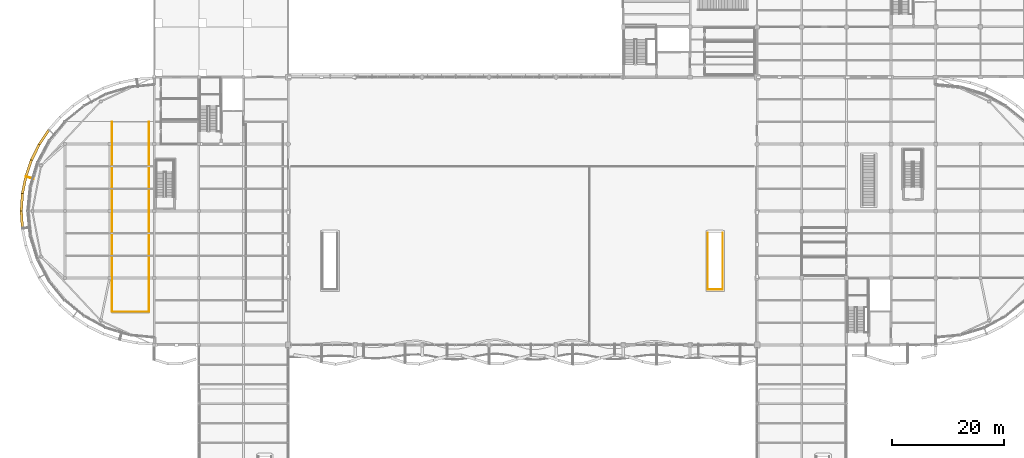
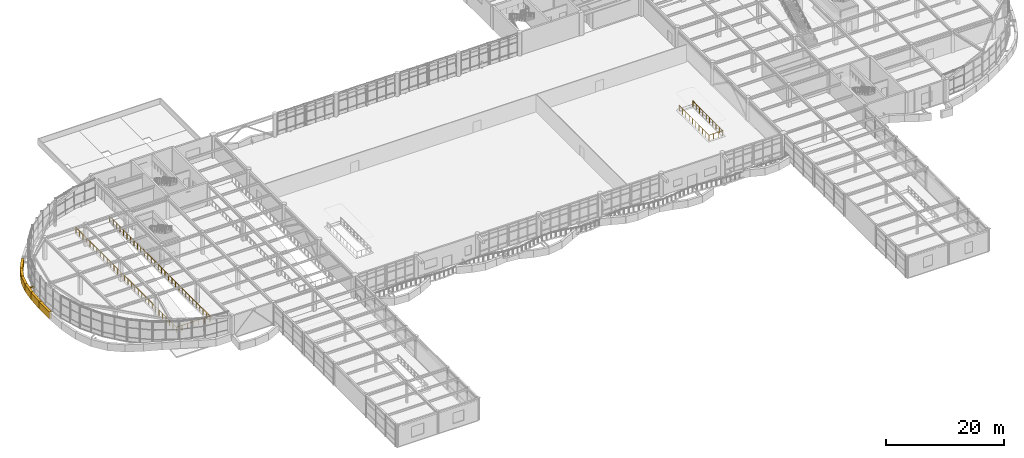
# One storey, part 62 of 72: 7 coverings, 2 railings.
"""IFC4 building model written with IfcOpenShell, lengths in metres."""

from ifc_helpers import new_model, si_unit, direction, frame, frame_2d, origin, origin_2d, place, context, subcontext, project, spatial, polyline, rectangle, circle, outline, extrude, material, layer, layer_set, type_object, element, save


model = new_model("IFC4")

# Units and contexts
model_context = context("Model", 3, precision=1e-05, world=origin(), true_north=direction((0.0, 1.0)))
body_context = subcontext(model_context, "Body", "Model", "MODEL_VIEW")
ifc_project = project(units=[si_unit("LENGTHUNIT", "METRE"), si_unit("AREAUNIT", "SQUARE_METRE"), si_unit("VOLUMEUNIT", "CUBIC_METRE"), si_unit("PLANEANGLEUNIT", "RADIAN"), si_unit("MASSUNIT", "GRAM", prefix="KILO")], contexts=[model_context])

# Site, building, storey
site_placement = place(None, origin())
site = spatial("IfcSite", under=ifc_project, at=site_placement, CompositionType="ELEMENT")
building_placement = place(site_placement, origin())
building = spatial("IfcBuilding", under=site, at=building_placement, Name="Keelwater Ferry Terminal", CompositionType="ELEMENT")
storey_placement = place(building_placement, frame((0.0, 0.0, 5.39990234375)))
storey = spatial("IfcBuildingStorey", under=building, at=storey_placement, Name="L01", CompositionType="ELEMENT", Elevation=5.39990234375)

# Railings
ifc_material_1 = material(Name="Painted Steel S355", Category="steel")
railing_type = type_object("IfcRailingType", Name="GR-115 Stair Well Guardrail", PredefinedType="GUARDRAIL", material=ifc_material_1)
railing_1_placement = place(storey_placement, frame((125.840087890625, 62.080078125, 0.0)))
element("IfcRailing", 1, at=railing_1_placement, inside=storey, type_object=railing_type, Name="Straight Stair GS-02 Top Well U-Guard 120", PredefinedType="GUARDRAIL", context=body_context, shape_type="SweptSolid", body=[
    extrude(circle(Radius=0.02392578125, at=origin_2d()), frame((0.0, 0.0, 1.1259765625), z_axis=(0.0, -1.0, 0.0), x_axis=(1.0, 0.0, 0.0)), (0.0, 0.0, 1.0), 10.1201171875),
    extrude(circle(Radius=0.02392578125, at=origin_2d()), frame((0.0, -10.1201171875, 1.1259765625), z_axis=(-1.0, 0.0, 0.0), x_axis=(0.0, -1.0, 0.0)), (0.0, 0.0, 1.0), 2.68017578125),
    extrude(circle(Radius=0.02392578125, at=origin_2d()), frame((-2.68017578125, -10.1201171875, 1.1259765625), z_axis=(0.0, 1.0, 0.0), x_axis=(-1.0, 0.0, 0.0)), (0.0, 0.0, 1.0), 10.1201171875),
    extrude(circle(Radius=0.02099609375, at=origin_2d()), origin(), (0.0, 0.0, 1.0), 1.101806640625),
    extrude(circle(Radius=0.02099609375, at=origin_2d()), frame((0.0, -1.12451171875, 0.0)), (0.0, 0.0, 1.0), 1.101806640625),
    extrude(circle(Radius=0.02099609375, at=origin_2d()), frame((0.0, -2.2490234375, 0.0)), (0.0, 0.0, 1.0), 1.101806640625),
    extrude(circle(Radius=0.02099609375, at=origin_2d()), frame((0.0, -3.373291015625, 0.0)), (0.0, 0.0, 1.0), 1.101806640625),
    extrude(circle(Radius=0.02099609375, at=origin_2d()), frame((0.0, -4.497802734375, 0.0)), (0.0, 0.0, 1.0), 1.101806640625),
    extrude(circle(Radius=0.02099609375, at=origin_2d()), frame((0.0, -5.622314453125, 0.0)), (0.0, 0.0, 1.0), 1.101806640625),
    extrude(circle(Radius=0.02099609375, at=origin_2d()), frame((0.0, -6.746826171875, 0.0)), (0.0, 0.0, 1.0), 1.101806640625),
    extrude(circle(Radius=0.02099609375, at=origin_2d()), frame((0.0, -7.87109375, 0.0)), (0.0, 0.0, 1.0), 1.101806640625),
    extrude(circle(Radius=0.02099609375, at=origin_2d()), frame((0.0, -8.99560546875, 0.0)), (0.0, 0.0, 1.0), 1.101806640625),
    extrude(circle(Radius=0.02099609375, at=origin_2d()), frame((0.0, -10.1201171875, 0.0)), (0.0, 0.0, 1.0), 1.101806640625),
    extrude(circle(Radius=0.02099609375, at=origin_2d()), frame((-0.893310546875, -10.1201171875, 0.0)), (0.0, 0.0, 1.0), 1.101806640625),
    extrude(circle(Radius=0.02099609375, at=origin_2d()), frame((-1.786865234375, -10.1201171875, 0.0)), (0.0, 0.0, 1.0), 1.101806640625),
    extrude(circle(Radius=0.02099609375, at=origin_2d()), frame((-2.68017578125, -10.1201171875, 0.0)), (0.0, 0.0, 1.0), 1.101806640625),
    extrude(circle(Radius=0.02099609375, at=origin_2d()), frame((-2.68017578125, -8.99560546875, 0.0)), (0.0, 0.0, 1.0), 1.101806640625),
    extrude(circle(Radius=0.02099609375, at=origin_2d()), frame((-2.68017578125, -7.87109375, 0.0)), (0.0, 0.0, 1.0), 1.101806640625),
    extrude(circle(Radius=0.02099609375, at=origin_2d()), frame((-2.68017578125, -6.746826171875, 0.0)), (0.0, 0.0, 1.0), 1.101806640625),
    extrude(circle(Radius=0.02099609375, at=origin_2d()), frame((-2.68017578125, -5.622314453125, 0.0)), (0.0, 0.0, 1.0), 1.101806640625),
    extrude(circle(Radius=0.02099609375, at=origin_2d()), frame((-2.68017578125, -4.497802734375, 0.0)), (0.0, 0.0, 1.0), 1.101806640625),
    extrude(circle(Radius=0.02099609375, at=origin_2d()), frame((-2.68017578125, -3.373291015625, 0.0)), (0.0, 0.0, 1.0), 1.101806640625),
    extrude(circle(Radius=0.02099609375, at=origin_2d()), frame((-2.68017578125, -2.2490234375, 0.0)), (0.0, 0.0, 1.0), 1.101806640625),
    extrude(circle(Radius=0.02099609375, at=origin_2d()), frame((-2.68017578125, -1.12451171875, 0.0)), (0.0, 0.0, 1.0), 1.101806640625),
    extrude(circle(Radius=0.02099609375, at=origin_2d()), frame((-2.68017578125, 0.0, 0.0)), (0.0, 0.0, 1.0), 1.101806640625),
])
railing_2_placement = place(storey_placement, frame((16.449951171875, 82.0, 0.0)))
element("IfcRailing", 2, at=railing_2_placement, inside=storey, type_object=railing_type, Name="VR1 L01 Deck Slot Guard 135", PredefinedType="GUARDRAIL", context=body_context, shape_type="SweptSolid", body=[
    extrude(circle(Radius=0.02392578125, at=origin_2d()), frame((0.0, 0.0, 1.1259765625), z_axis=(0.0, -1.0, 0.0), x_axis=(1.0, 0.0, 0.0)), (0.0, 0.0, 1.0), 34.050048828125),
    extrude(circle(Radius=0.02392578125, at=origin_2d()), frame((0.0, -34.050048828125, 1.1259765625), z_axis=(1.0, 0.0, 0.0), x_axis=(0.0, 1.0, 0.0)), (0.0, 0.0, 1.0), 6.60009765625),
    extrude(circle(Radius=0.02392578125, at=origin_2d()), frame((6.60009765625, -34.050048828125, 1.1259765625), z_axis=(0.0, 1.0, 0.0), x_axis=(-1.0, 0.0, 0.0)), (0.0, 0.0, 1.0), 34.050048828125),
    extrude(circle(Radius=0.02099609375, at=origin_2d()), origin(), (0.0, 0.0, 1.0), 1.101806640625),
    extrude(circle(Radius=0.02099609375, at=origin_2d()), frame((0.0, -1.174072265625, 0.0)), (0.0, 0.0, 1.0), 1.101806640625),
    extrude(circle(Radius=0.02099609375, at=origin_2d()), frame((0.0, -2.348388671875, 0.0)), (0.0, 0.0, 1.0), 1.101806640625),
    extrude(circle(Radius=0.02099609375, at=origin_2d()), frame((0.0, -3.5224609375, 0.0)), (0.0, 0.0, 1.0), 1.101806640625),
    extrude(circle(Radius=0.02099609375, at=origin_2d()), frame((0.0, -4.696533203125, 0.0)), (0.0, 0.0, 1.0), 1.101806640625),
    extrude(circle(Radius=0.02099609375, at=origin_2d()), frame((0.0, -5.87060546875, 0.0)), (0.0, 0.0, 1.0), 1.101806640625),
    extrude(circle(Radius=0.02099609375, at=origin_2d()), frame((0.0, -7.044921875, 0.0)), (0.0, 0.0, 1.0), 1.101806640625),
    extrude(circle(Radius=0.02099609375, at=origin_2d()), frame((0.0, -8.218994140625, 0.0)), (0.0, 0.0, 1.0), 1.101806640625),
    extrude(circle(Radius=0.02099609375, at=origin_2d()), frame((0.0, -9.39306640625, 0.0)), (0.0, 0.0, 1.0), 1.101806640625),
    extrude(circle(Radius=0.02099609375, at=origin_2d()), frame((0.0, -10.567138671875, 0.0)), (0.0, 0.0, 1.0), 1.101806640625),
    extrude(circle(Radius=0.02099609375, at=origin_2d()), frame((0.0, -11.741455078125, 0.0)), (0.0, 0.0, 1.0), 1.101806640625),
    extrude(circle(Radius=0.02099609375, at=origin_2d()), frame((0.0, -12.91552734375, 0.0)), (0.0, 0.0, 1.0), 1.101806640625),
    extrude(circle(Radius=0.02099609375, at=origin_2d()), frame((0.0, -14.089599609375, 0.0)), (0.0, 0.0, 1.0), 1.101806640625),
    extrude(circle(Radius=0.02099609375, at=origin_2d()), frame((0.0, -15.263916015625, 0.0)), (0.0, 0.0, 1.0), 1.101806640625),
    extrude(circle(Radius=0.02099609375, at=origin_2d()), frame((0.0, -16.43798828125, 0.0)), (0.0, 0.0, 1.0), 1.101806640625),
    extrude(circle(Radius=0.02099609375, at=origin_2d()), frame((0.0, -17.612060546875, 0.0)), (0.0, 0.0, 1.0), 1.101806640625),
    extrude(circle(Radius=0.02099609375, at=origin_2d()), frame((0.0, -18.7861328125, 0.0)), (0.0, 0.0, 1.0), 1.101806640625),
    extrude(circle(Radius=0.02099609375, at=origin_2d()), frame((0.0, -19.96044921875, 0.0)), (0.0, 0.0, 1.0), 1.101806640625),
    extrude(circle(Radius=0.02099609375, at=origin_2d()), frame((0.0, -21.134521484375, 0.0)), (0.0, 0.0, 1.0), 1.101806640625),
    extrude(circle(Radius=0.02099609375, at=origin_2d()), frame((0.0, -22.30859375, 0.0)), (0.0, 0.0, 1.0), 1.101806640625),
    extrude(circle(Radius=0.02099609375, at=origin_2d()), frame((0.0, -23.48291015625, 0.0)), (0.0, 0.0, 1.0), 1.101806640625),
    extrude(circle(Radius=0.02099609375, at=origin_2d()), frame((0.0, -24.656982421875, 0.0)), (0.0, 0.0, 1.0), 1.101806640625),
    extrude(circle(Radius=0.02099609375, at=origin_2d()), frame((0.0, -25.8310546875, 0.0)), (0.0, 0.0, 1.0), 1.101806640625),
    extrude(circle(Radius=0.02099609375, at=origin_2d()), frame((0.0, -27.005126953125, 0.0)), (0.0, 0.0, 1.0), 1.101806640625),
    extrude(circle(Radius=0.02099609375, at=origin_2d()), frame((0.0, -28.179443359375, 0.0)), (0.0, 0.0, 1.0), 1.101806640625),
    extrude(circle(Radius=0.02099609375, at=origin_2d()), frame((0.0, -29.353515625, 0.0)), (0.0, 0.0, 1.0), 1.101806640625),
    extrude(circle(Radius=0.02099609375, at=origin_2d()), frame((0.0, -30.527587890625, 0.0)), (0.0, 0.0, 1.0), 1.101806640625),
    extrude(circle(Radius=0.02099609375, at=origin_2d()), frame((0.0, -31.70166015625, 0.0)), (0.0, 0.0, 1.0), 1.101806640625),
    extrude(circle(Radius=0.02099609375, at=origin_2d()), frame((0.0, -32.8759765625, 0.0)), (0.0, 0.0, 1.0), 1.101806640625),
    extrude(circle(Radius=0.02099609375, at=origin_2d()), frame((0.0, -34.050048828125, 0.0)), (0.0, 0.0, 1.0), 1.101806640625),
    extrude(circle(Radius=0.02099609375, at=origin_2d()), frame((1.10009765625, -34.050048828125, 0.0)), (0.0, 0.0, 1.0), 1.101806640625),
    extrude(circle(Radius=0.02099609375, at=origin_2d()), frame((2.199951171875, -34.050048828125, 0.0)), (0.0, 0.0, 1.0), 1.101806640625),
    extrude(circle(Radius=0.02099609375, at=origin_2d()), frame((3.300048828125, -34.050048828125, 0.0)), (0.0, 0.0, 1.0), 1.101806640625),
    extrude(circle(Radius=0.02099609375, at=origin_2d()), frame((4.400146484375, -34.050048828125, 0.0)), (0.0, 0.0, 1.0), 1.101806640625),
    extrude(circle(Radius=0.02099609375, at=origin_2d()), frame((5.5, -34.050048828125, 0.0)), (0.0, 0.0, 1.0), 1.101806640625),
    extrude(circle(Radius=0.02099609375, at=origin_2d()), frame((6.60009765625, -34.050048828125, 0.0)), (0.0, 0.0, 1.0), 1.101806640625),
    extrude(circle(Radius=0.02099609375, at=origin_2d()), frame((6.60009765625, -32.8759765625, 0.0)), (0.0, 0.0, 1.0), 1.101806640625),
    extrude(circle(Radius=0.02099609375, at=origin_2d()), frame((6.60009765625, -31.70166015625, 0.0)), (0.0, 0.0, 1.0), 1.101806640625),
    extrude(circle(Radius=0.02099609375, at=origin_2d()), frame((6.60009765625, -30.527587890625, 0.0)), (0.0, 0.0, 1.0), 1.101806640625),
    extrude(circle(Radius=0.02099609375, at=origin_2d()), frame((6.60009765625, -29.353515625, 0.0)), (0.0, 0.0, 1.0), 1.101806640625),
    extrude(circle(Radius=0.02099609375, at=origin_2d()), frame((6.60009765625, -28.179443359375, 0.0)), (0.0, 0.0, 1.0), 1.101806640625),
    extrude(circle(Radius=0.02099609375, at=origin_2d()), frame((6.60009765625, -27.005126953125, 0.0)), (0.0, 0.0, 1.0), 1.101806640625),
    extrude(circle(Radius=0.02099609375, at=origin_2d()), frame((6.60009765625, -25.8310546875, 0.0)), (0.0, 0.0, 1.0), 1.101806640625),
    extrude(circle(Radius=0.02099609375, at=origin_2d()), frame((6.60009765625, -24.656982421875, 0.0)), (0.0, 0.0, 1.0), 1.101806640625),
    extrude(circle(Radius=0.02099609375, at=origin_2d()), frame((6.60009765625, -23.48291015625, 0.0)), (0.0, 0.0, 1.0), 1.101806640625),
    extrude(circle(Radius=0.02099609375, at=origin_2d()), frame((6.60009765625, -22.30859375, 0.0)), (0.0, 0.0, 1.0), 1.101806640625),
    extrude(circle(Radius=0.02099609375, at=origin_2d()), frame((6.60009765625, -21.134521484375, 0.0)), (0.0, 0.0, 1.0), 1.101806640625),
    extrude(circle(Radius=0.02099609375, at=origin_2d()), frame((6.60009765625, -19.96044921875, 0.0)), (0.0, 0.0, 1.0), 1.101806640625),
    extrude(circle(Radius=0.02099609375, at=origin_2d()), frame((6.60009765625, -18.7861328125, 0.0)), (0.0, 0.0, 1.0), 1.101806640625),
    extrude(circle(Radius=0.02099609375, at=origin_2d()), frame((6.60009765625, -17.612060546875, 0.0)), (0.0, 0.0, 1.0), 1.101806640625),
    extrude(circle(Radius=0.02099609375, at=origin_2d()), frame((6.60009765625, -16.43798828125, 0.0)), (0.0, 0.0, 1.0), 1.101806640625),
    extrude(circle(Radius=0.02099609375, at=origin_2d()), frame((6.60009765625, -15.263916015625, 0.0)), (0.0, 0.0, 1.0), 1.101806640625),
    extrude(circle(Radius=0.02099609375, at=origin_2d()), frame((6.60009765625, -14.089599609375, 0.0)), (0.0, 0.0, 1.0), 1.101806640625),
    extrude(circle(Radius=0.02099609375, at=origin_2d()), frame((6.60009765625, -12.91552734375, 0.0)), (0.0, 0.0, 1.0), 1.101806640625),
    extrude(circle(Radius=0.02099609375, at=origin_2d()), frame((6.60009765625, -11.741455078125, 0.0)), (0.0, 0.0, 1.0), 1.101806640625),
    extrude(circle(Radius=0.02099609375, at=origin_2d()), frame((6.60009765625, -10.567138671875, 0.0)), (0.0, 0.0, 1.0), 1.101806640625),
    extrude(circle(Radius=0.02099609375, at=origin_2d()), frame((6.60009765625, -9.39306640625, 0.0)), (0.0, 0.0, 1.0), 1.101806640625),
    extrude(circle(Radius=0.02099609375, at=origin_2d()), frame((6.60009765625, -8.218994140625, 0.0)), (0.0, 0.0, 1.0), 1.101806640625),
    extrude(circle(Radius=0.02099609375, at=origin_2d()), frame((6.60009765625, -7.044921875, 0.0)), (0.0, 0.0, 1.0), 1.101806640625),
    extrude(circle(Radius=0.02099609375, at=origin_2d()), frame((6.60009765625, -5.87060546875, 0.0)), (0.0, 0.0, 1.0), 1.101806640625),
    extrude(circle(Radius=0.02099609375, at=origin_2d()), frame((6.60009765625, -4.696533203125, 0.0)), (0.0, 0.0, 1.0), 1.101806640625),
    extrude(circle(Radius=0.02099609375, at=origin_2d()), frame((6.60009765625, -3.5224609375, 0.0)), (0.0, 0.0, 1.0), 1.101806640625),
    extrude(circle(Radius=0.02099609375, at=origin_2d()), frame((6.60009765625, -2.348388671875, 0.0)), (0.0, 0.0, 1.0), 1.101806640625),
    extrude(circle(Radius=0.02099609375, at=origin_2d()), frame((6.60009765625, -1.174072265625, 0.0)), (0.0, 0.0, 1.0), 1.101806640625),
    extrude(circle(Radius=0.02099609375, at=origin_2d()), frame((6.60009765625, 0.0, 0.0)), (0.0, 0.0, 1.0), 1.101806640625),
])

# Coverings
ifc_material_2 = material(Name="Matte white architectural aluminium fascia ribbon", Category="aluminium")
ifc_layer = layer(ifc_material_2, 0.1201171875)
ifc_layer_set = layer_set([ifc_layer], Name="Matte white architectural aluminium fascia ribbon")
covering_type = type_object("IfcCoveringType", Name="RB-WHT Matte White Fascia Ribbon", PredefinedType="CLADDING", material=ifc_layer_set)
covering_1_placement = place(storey_placement, frame((5.115966796875, 80.52197265625, -1.89990234375), z_axis=(0.0, 0.0, 1.0), x_axis=(-0.55550058618, -0.831516144614, 0.0)))
element("IfcCovering", 3, at=covering_1_placement, inside=storey, type_object=covering_type, Name="Concourse Lower Wave Fascia Ribbon 202", PredefinedType="CLADDING", context=body_context, shape_type="SweptSolid", body=[
    extrude(outline(polyline([(0.0, 0.0), (3.16650390625, 0.197021484375), (3.16650390625, 1.697021484375), (0.0, 1.5), (0.0, 0.0)])), frame((0.0, 0.22998046875, 0.0), z_axis=(0.0, -1.0, 0.0), x_axis=(1.0, 0.0, 0.0)), (0.0, 0.0, 1.0), 0.4599609375),
])
covering_2_placement = place(storey_placement, frame((3.382080078125, 77.931884765625, -1.702880859375), z_axis=(0.0, 0.0, 1.0), x_axis=(-0.442454846905, -0.896790782987, 0.0)))
element("IfcCovering", 4, at=covering_2_placement, inside=storey, type_object=covering_type, Name="Concourse Lower Wave Fascia Ribbon 214", PredefinedType="CLADDING", context=body_context, shape_type="SweptSolid", body=[
    extrude(outline(polyline([(0.0, 0.0), (3.16455078125, 0.487060546875), (3.16455078125, 1.987060546875), (0.0, 1.5), (0.0, 0.0)])), frame((0.0, 0.22998046875, 0.0), z_axis=(0.0, -1.0, 0.0), x_axis=(1.0, 0.0, 0.0)), (0.0, 0.0, 1.0), 0.4599609375),
])
covering_3_placement = place(storey_placement, frame((2.0009765625, 75.139892578125, -1.2158203125), z_axis=(0.0, 0.0, 1.0), x_axis=(-0.321196336342, -0.94701262585, 0.0)))
element("IfcCovering", 5, at=covering_3_placement, inside=storey, type_object=covering_type, Name="Concourse Lower Wave Fascia Ribbon 218", PredefinedType="CLADDING", context=body_context, shape_type="SweptSolid", body=[
    extrude(outline(polyline([(0.0, 0.0), (3.16650390625, 0.56103515625), (3.16650390625, 2.06103515625), (0.0, 1.5), (0.0, 0.0)])), frame((0.0, 0.22998046875, 0.0), z_axis=(0.0, -1.0, 0.0), x_axis=(1.0, 0.0, 0.0)), (0.0, 0.0, 1.0), 0.4599609375),
])
covering_4_placement = place(storey_placement, frame((0.9970703125, 72.18994140625, -0.65478515625), z_axis=(0.0, 0.0, 1.0), x_axis=(-0.195196875454, -0.98076407959, 0.0)))
element("IfcCovering", 6, at=covering_4_placement, inside=storey, type_object=covering_type, Name="Concourse Lower Wave Fascia Ribbon 222", PredefinedType="CLADDING", context=body_context, shape_type="SweptSolid", body=[
    extrude(outline(polyline([(0.0, 0.0), (3.1669921875, 0.384765625), (3.1669921875, 1.884765625), (0.0, 1.5), (0.0, 0.0)])), frame((0.0, 0.22998046875, 0.0), z_axis=(0.0, -1.0, 0.0), x_axis=(1.0, 0.0, 0.0)), (0.0, 0.0, 1.0), 0.4599609375),
])
covering_5_placement = place(storey_placement, frame((0.991943359375, 72.1650390625, -0.25), z_axis=(0.0, 0.0, 1.0), x_axis=(0.965999865875, -0.258542567344, 0.0)))
element("IfcCovering", 7, at=covering_5_placement, inside=storey, type_object=covering_type, Name="Ribbon Slab Tie Bracket 227", PredefinedType="CLADDING", context=body_context, shape_type="SweptSolid", body=[
    extrude(rectangle(XDim=1.450439453125, YDim=0.159912109375, at=frame_2d((0.72509765625, 0.0))), origin(), (0.0, 0.0, 1.0), 0.300048828125),
])
covering_6_placement = place(storey_placement, frame((0.385986328125, 69.134033203125, -0.27001953125), z_axis=(0.0, 0.0, 1.0), x_axis=(-0.065705147067, -0.997839082041, 0.0)))
element("IfcCovering", 8, at=covering_6_placement, inside=storey, type_object=covering_type, Name="Concourse Lower Wave Fascia Ribbon 232", PredefinedType="CLADDING", context=body_context, shape_type="SweptSolid", body=[
    extrude(outline(polyline([(0.0, 0.0), (3.165771484375, 0.0390625), (3.165771484375, 1.5390625), (0.0, 1.5), (0.0, 0.0)])), frame((0.0, 0.22998046875, 0.0), z_axis=(0.0, -1.0, 0.0), x_axis=(1.0, 0.0, 0.0)), (0.0, 0.0, 1.0), 0.4599609375),
])
covering_7_placement = place(storey_placement, frame((0.177978515625, 66.02490234375, -0.556884765625), z_axis=(0.0, 0.0, 1.0), x_axis=(0.065705147067, -0.997839082041, 0.0)))
element("IfcCovering", 9, at=covering_7_placement, inside=storey, type_object=covering_type, Name="Concourse Lower Wave Fascia Ribbon 236", PredefinedType="CLADDING", context=body_context, shape_type="SweptSolid", body=[
    extrude(outline(polyline([(0.0, 0.325927734375), (3.165771484375, 0.0), (3.165771484375, 1.5), (0.0, 1.825927734375), (0.0, 0.325927734375)])), frame((0.0, 0.22998046875, 0.0), z_axis=(0.0, -1.0, 0.0), x_axis=(1.0, 0.0, 0.0)), (0.0, 0.0, 1.0), 0.4599609375),
])

save(model, "model.ifc")
